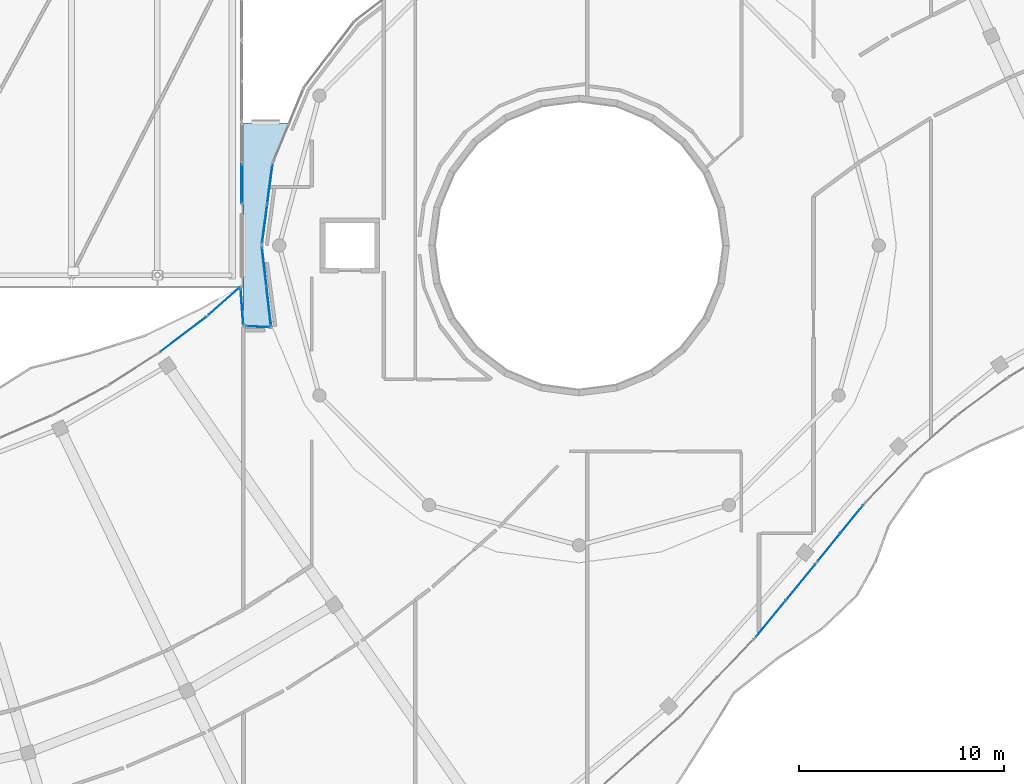
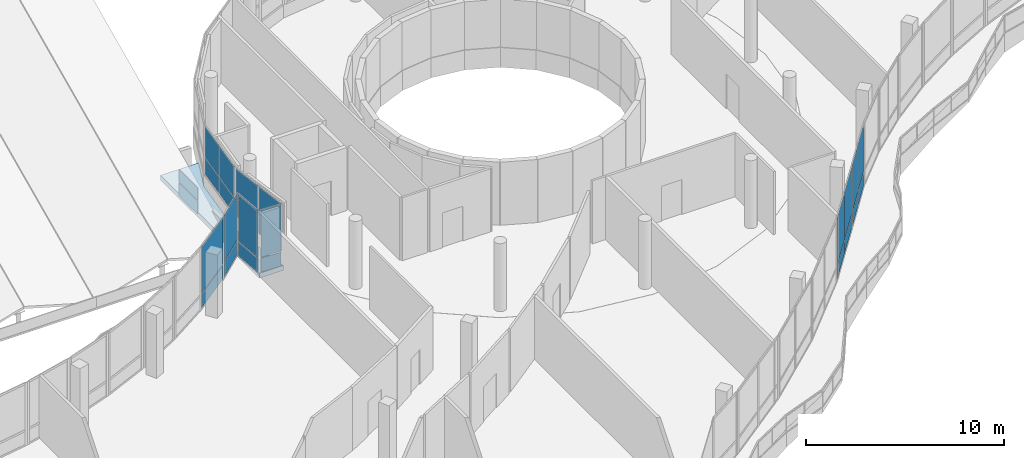
# One storey, part 147 of 184: 26 plates, 1 slab, 9 elements without a shape of their own.
"""IFC4 building model written with IfcOpenShell, lengths in metres."""

import ifcopenshell
import ifcopenshell.guid

model = None  # the IFC model being written
_history = None  # IfcOwnerHistory: only IFC2X3 demands one
_inside = {}  # id of a spatial element -> (the spatial element, [elements in it])
_under = {}  # id of a project, library or spatial element -> (it, [spatial elements below it])
_declared = {}  # id of a project -> (the project, [libraries it declares])
_typed = {}  # id of a type object -> (the type object, [elements of that type])
_made_of = {}  # id of a material, layer set ... -> (it, [elements and type objects made of it])


def new_model(schema):
    """Start an empty IFC model of exactly this schema.

    Asked for "IFC4X3", IfcOpenShell would pick the latest addendum, in which some entities
    have other attributes; the version numbers below select the first issue.
    IFC2X3 requires an IfcOwnerHistory on every rooted entity: one is made here for all.
    """
    global model, _history
    if schema == "IFC4X3":
        model = ifcopenshell.file(schema_version=(4, 3, 0, 0))
    else:
        model = ifcopenshell.file(schema=schema)
    _inside.clear()
    _under.clear()
    _declared.clear()
    _typed.clear()
    _made_of.clear()
    _history = None
    if model.schema == "IFC2X3":
        org = make("IfcOrganization", Name="unknown")
        user = make(
            "IfcPersonAndOrganization",
            ThePerson=make("IfcPerson", FamilyName="unknown"),
            TheOrganization=org,
        )
        app = make(
            "IfcApplication",
            ApplicationDeveloper=org,
            Version="unknown",
            ApplicationFullName="unknown",
            ApplicationIdentifier="unknown",
        )
        _history = make(
            "IfcOwnerHistory",
            OwningUser=user,
            OwningApplication=app,
            ChangeAction="ADDED",
            CreationDate=0,
        )
    return model


def make(cls, **values):
    """One entity of the class cls with the attributes given. An attribute that is None is left unset."""
    return model.create_entity(
        cls, **{name: value for name, value in values.items() if value is not None}
    )


def rooted(cls, **values):
    """An entity with a GlobalId (a new one), such as an element, a storey or a relation."""
    return make(cls, GlobalId=ifcopenshell.guid.new(), OwnerHistory=_history, **values)


def si_unit(unit_type, name, prefix=None):
    """IfcSIUnit, for example si_unit("LENGTHUNIT", "METRE", prefix="MILLI")."""
    return make("IfcSIUnit", UnitType=unit_type, Prefix=prefix, Name=name)


def assignment(units):
    """IfcUnitAssignment: the units of a project."""
    return None if units is None else make("IfcUnitAssignment", Units=units)


def point(xyz):
    """IfcCartesianPoint."""
    return None if xyz is None else make("IfcCartesianPoint", Coordinates=xyz)


def direction(xyz):
    """IfcDirection."""
    return None if xyz is None else make("IfcDirection", DirectionRatios=xyz)


def frame(location, z_axis=None, x_axis=None):
    """IfcAxis2Placement3D, a coordinate frame: its origin and axes. An axis left out is left unset."""
    return make(
        "IfcAxis2Placement3D",
        Location=point(location),
        Axis=direction(z_axis),
        RefDirection=direction(x_axis),
    )


def frame_2d(location, x_axis=None):
    """IfcAxis2Placement2D, a coordinate frame in the plane: its origin and x axis."""
    return make(
        "IfcAxis2Placement2D", Location=point(location), RefDirection=direction(x_axis)
    )


def origin():
    """The frame at (0, 0, 0) with its axes left unset."""
    return frame((0.0, 0.0, 0.0))


def origin_2d():
    """The frame at (0, 0) in the plane with its x axis left unset."""
    return frame_2d((0.0, 0.0))


def place(relative_to, where):
    """IfcLocalPlacement: puts the frame where relative to a parent placement (None: the world)."""
    return make(
        "IfcLocalPlacement", PlacementRelTo=relative_to, RelativePlacement=where
    )


def context(
    kind, dimensions, precision=None, world=None, true_north=None, identifier=None
):
    """IfcGeometricRepresentationContext, for example the 3D "Model" context."""
    return make(
        "IfcGeometricRepresentationContext",
        ContextIdentifier=identifier,
        ContextType=kind,
        CoordinateSpaceDimension=dimensions,
        Precision=precision,
        WorldCoordinateSystem=world,
        TrueNorth=true_north,
    )


def subcontext(parent, identifier, kind, view, scale=None):
    """IfcGeometricRepresentationSubContext, for example "Body" below "Model"."""
    return make(
        "IfcGeometricRepresentationSubContext",
        ContextIdentifier=identifier,
        ContextType=kind,
        ParentContext=parent,
        TargetScale=scale,
        TargetView=view,
    )


def project(units=None, contexts=None):
    """IfcProject with its units and contexts."""
    return rooted(
        "IfcProject",
        Name="project",
        RepresentationContexts=contexts,
        UnitsInContext=assignment(units),
    )


def spatial(cls, under=None, at=None, **own):
    """A site, building, storey or space (cls), placed at a placement, below another one or the project."""
    s = rooted(cls, ObjectPlacement=at, **own)
    if under is not None:
        _under.setdefault(under.id(), (under, []))[1].append(s)
    return s


def polyline(points):
    """IfcPolyline through the points."""
    return make("IfcPolyline", Points=[point(p) for p in points])


def profile(cls, at=None, kind="AREA", **sizes):
    """A parametric profile (cls). Its sizes go by their IFC names, for example OverallWidth=200.0."""
    return make(cls, ProfileType=kind, Position=at, **sizes)


def rectangle(**sizes):
    """IfcRectangleProfileDef."""
    return profile("IfcRectangleProfileDef", **sizes)


def outline(outer, holes=None, kind="AREA"):
    """IfcArbitraryClosedProfileDef: a profile drawn as a closed curve; with holes, ...WithVoids."""
    if holes is None:
        return make("IfcArbitraryClosedProfileDef", ProfileType=kind, OuterCurve=outer)
    return make(
        "IfcArbitraryProfileDefWithVoids",
        ProfileType=kind,
        OuterCurve=outer,
        InnerCurves=holes,
    )


def extrude(swept, where, along, depth):
    """IfcExtrudedAreaSolid: the profile swept, set in the frame where, extruded along a direction by depth."""
    return make(
        "IfcExtrudedAreaSolid",
        SweptArea=swept,
        Position=where,
        ExtrudedDirection=direction(along),
        Depth=depth,
    )


def shape(context_of_items, identifier, shape_type, items):
    """IfcShapeRepresentation: the items that make up one representation, for example the "Body"."""
    return make(
        "IfcShapeRepresentation",
        ContextOfItems=context_of_items,
        RepresentationIdentifier=identifier,
        RepresentationType=shape_type,
        Items=items,
    )


def material(Name=None, Category=None):
    """IfcMaterial."""
    return make("IfcMaterial", Name=Name, Category=Category)


def layer(
    of_material, thickness, ventilated=None, Name=None, Category=None, Priority=None
):
    """IfcMaterialLayer: one layer of a wall or slab, of a material (None: an air gap)."""
    return make(
        "IfcMaterialLayer",
        Material=of_material,
        LayerThickness=thickness,
        IsVentilated=ventilated,
        Name=Name,
        Category=Category,
        Priority=Priority,
    )


def layer_set(layers, Name=None):
    """IfcMaterialLayerSet."""
    return make("IfcMaterialLayerSet", MaterialLayers=layers, LayerSetName=Name)


def made_of(thing, what):
    """Note that an element or type object is made of a material, layer set ...; save() writes the relation."""
    if what is not None:
        _made_of.setdefault(what.id(), (what, []))[1].append(thing)
    return thing


def type_object(cls, material=None, **own):
    """A type object (cls), such as IfcWallType, which elements share."""
    return made_of(rooted(cls, **own), material)


def element(
    cls,
    number,
    at=None,
    inside=None,
    cuts=None,
    type_object=None,
    material=None,
    context=None,
    identifier="Body",
    shape_type=None,
    held_by="IfcProductDefinitionShape",
    body=None,
    shapes=None,
    **own,
):
    """One element of the class cls, such as IfcWall. Its Tag is "e" and its number.

    at: its placement. inside: the storey or other place that contains it. cuts: it is an
    opening in that element (IfcRelVoidsElement). A single representation is given by context,
    identifier, shape_type and body (its items); several are given by shapes. held_by: the class
    of the entity that holds the representations. save() writes the other relations.
    """
    e = rooted(cls, Tag="e%d" % number, ObjectPlacement=at, **own)
    if body is not None:
        shapes = [shape(context, identifier, shape_type, body)]
    if shapes is not None:
        e.Representation = make(held_by, Representations=shapes)
    if inside is not None:
        _inside.setdefault(inside.id(), (inside, []))[1].append(e)
    if cuts is not None:
        rooted(
            "IfcRelVoidsElement", RelatingBuildingElement=cuts, RelatedOpeningElement=e
        )
    if type_object is not None:
        _typed.setdefault(type_object.id(), (type_object, []))[1].append(e)
    return made_of(e, material)


def aggregate(whole, parts):
    """IfcRelAggregates: a whole, such as a stair, and the parts it consists of."""
    return rooted("IfcRelAggregates", RelatingObject=whole, RelatedObjects=parts)


def save(model, path):
    """Write the relations noted so far, then the file.

    IfcRelAggregates (storeys below a building ...), IfcRelContainedInSpatialStructure (elements
    in a storey), IfcRelDefinesByType, IfcRelAssociatesMaterial and IfcRelDeclares: one each for
    every whole, place, type object, material and project.
    """
    for whole, parts in _under.values():
        aggregate(whole, parts)
    for where, things in _inside.values():
        rooted(
            "IfcRelContainedInSpatialStructure",
            RelatedElements=things,
            RelatingStructure=where,
        )
    for kind, things in _typed.values():
        rooted("IfcRelDefinesByType", RelatedObjects=things, RelatingType=kind)
    for what, things in _made_of.values():
        rooted("IfcRelAssociatesMaterial", RelatedObjects=things, RelatingMaterial=what)
    for by, libraries in _declared.values():
        rooted("IfcRelDeclares", RelatingContext=by, RelatedDefinitions=libraries)
    model.write(path)


model = new_model("IFC4")

# Units and contexts
model_context = context("Model", 3, precision=1e-05, world=origin(), true_north=direction((0.0, 1.0)))
body_context = subcontext(model_context, "Body", "Model", "MODEL_VIEW")
ifc_project = project(units=[si_unit("LENGTHUNIT", "METRE"), si_unit("AREAUNIT", "SQUARE_METRE"), si_unit("VOLUMEUNIT", "CUBIC_METRE"), si_unit("PLANEANGLEUNIT", "RADIAN"), si_unit("MASSUNIT", "GRAM", prefix="KILO")], contexts=[model_context])

# Site, building, storey
site_placement = place(None, origin())
site = spatial("IfcSite", under=ifc_project, at=site_placement, CompositionType="ELEMENT")
building_placement = place(site_placement, origin())
building = spatial("IfcBuilding", under=site, at=building_placement, Name="Selatvlak General Hospital", CompositionType="ELEMENT")
storey_placement = place(building_placement, frame((0.0, 0.0, 15.0)))
storey = spatial("IfcBuildingStorey", under=building, at=storey_placement, Name="L03", CompositionType="ELEMENT", Elevation=15.0)

# Curtain wall, plates
ifc_material_1 = material(Name="Solar-control Low-E double glazing", Category="glass")
curtain_wall_type_1 = type_object("IfcCurtainWallType", Name="CW-CW-01", PredefinedType="USERDEFINED", material=ifc_material_1)
curtain_wall_1_placement = place(storey_placement, origin())
curtain_wall_1 = element("IfcCurtainWall", 1, at=curtain_wall_1_placement, inside=storey, type_object=curtain_wall_type_1, Name="Glazed facade curtain wall CW-L03-0415", ObjectType="UNITISED CURTAIN WALL", PredefinedType="USERDEFINED")
ifc_layer_1 = layer(ifc_material_1, 0.028076171875, Name="Solar-control Low-E double glazing", Category="glass")
ifc_layer_set_1 = layer_set([ifc_layer_1], Name="Solar-control Low-E double glazing")
plate_type = type_object("IfcPlateType", Name="CWP-01", PredefinedType="CURTAIN_PANEL", material=ifc_layer_set_1)
plate_1_placement = place(storey_placement, frame((111.345458984375, 40.64013671875, 0.06494140625), z_axis=(0.0, 0.0, 1.0), x_axis=(-0.630334315986, -0.776323804924, 0.0)))
plate_1 = element("IfcPlate", 2, at=plate_1_placement, type_object=plate_type, Name="CW-01 panel 1.1", PredefinedType="CURTAIN_PANEL", context=body_context, shape_type="SweptSolid", body=[
    extrude(rectangle(XDim=1.724609375, YDim=0.028076171875, at=origin_2d()), origin(), (0.0, 0.0, 1.0), 0.8525390625),
])
plate_2_placement = place(storey_placement, frame((111.345458984375, 40.64013671875, 0.982421875), z_axis=(0.0, 0.0, 1.0), x_axis=(-0.630334315986, -0.776323804924, 0.0)))
plate_2 = element("IfcPlate", 3, at=plate_2_placement, type_object=plate_type, Name="CW-01 panel 1.2", PredefinedType="CURTAIN_PANEL", context=body_context, shape_type="SweptSolid", body=[
    extrude(rectangle(XDim=1.724609375, YDim=0.028076171875, at=origin_2d()), origin(), (0.0, 0.0, 1.0), 2.847412109375),
])
plate_3_placement = place(storey_placement, frame((110.217529296875, 39.2509765625, 0.06494140625), z_axis=(0.0, 0.0, 1.0), x_axis=(-0.630334315986, -0.776323804924, 0.0)))
plate_3 = element("IfcPlate", 4, at=plate_3_placement, type_object=plate_type, Name="CW-01 panel 2.1", PredefinedType="CURTAIN_PANEL", context=body_context, shape_type="SweptSolid", body=[
    extrude(rectangle(XDim=1.724609375, YDim=0.028076171875, at=origin_2d()), origin(), (0.0, 0.0, 1.0), 0.8525390625),
])
plate_4_placement = place(storey_placement, frame((110.217529296875, 39.2509765625, 0.982421875), z_axis=(0.0, 0.0, 1.0), x_axis=(-0.630334315986, -0.776323804924, 0.0)))
plate_4 = element("IfcPlate", 5, at=plate_4_placement, type_object=plate_type, Name="CW-01 panel 2.2", PredefinedType="CURTAIN_PANEL", context=body_context, shape_type="SweptSolid", body=[
    extrude(rectangle(XDim=1.724609375, YDim=0.028076171875, at=origin_2d()), origin(), (0.0, 0.0, 1.0), 2.847412109375),
])
aggregate(curtain_wall_1, [plate_1, plate_2, plate_3, plate_4])

curtain_wall_type_2 = type_object("IfcCurtainWallType", Name="CW-CW-02", PredefinedType="USERDEFINED", material=ifc_material_1)
curtain_wall_2_placement = place(storey_placement, origin())
curtain_wall_2 = element("IfcCurtainWall", 6, at=curtain_wall_2_placement, inside=storey, type_object=curtain_wall_type_2, Name="Glazed facade curtain wall CW-L03-0416", ObjectType="UNITISED CURTAIN WALL", PredefinedType="USERDEFINED")
plate_5_placement = place(storey_placement, frame((108.83251953125, 37.55126953125, 0.06494140625), z_axis=(0.0, 0.0, 1.0), x_axis=(-0.633447461018, -0.773785702976, 0.0)))
plate_5 = element("IfcPlate", 7, at=plate_5_placement, type_object=plate_type, Name="CW-02 panel 1.1", PredefinedType="CURTAIN_PANEL", context=body_context, shape_type="SweptSolid", body=[
    extrude(rectangle(XDim=2.23974609375, YDim=0.028076171875, at=origin_2d()), origin(), (0.0, 0.0, 1.0), 0.8525390625),
])
plate_6_placement = place(storey_placement, frame((108.83251953125, 37.55126953125, 0.982421875), z_axis=(0.0, 0.0, 1.0), x_axis=(-0.633447461018, -0.773785702976, 0.0)))
plate_6 = element("IfcPlate", 8, at=plate_6_placement, type_object=plate_type, Name="CW-02 panel 1.2", PredefinedType="CURTAIN_PANEL", context=body_context, shape_type="SweptSolid", body=[
    extrude(rectangle(XDim=2.23974609375, YDim=0.028076171875, at=origin_2d()), origin(), (0.0, 0.0, 1.0), 2.847412109375),
])
plate_7_placement = place(storey_placement, frame((107.37255859375, 35.767822265625, 0.06494140625), z_axis=(0.0, 0.0, 1.0), x_axis=(-0.633447461018, -0.773785702976, 0.0)))
plate_7 = element("IfcPlate", 9, at=plate_7_placement, type_object=plate_type, Name="CW-02 panel 2.1", PredefinedType="CURTAIN_PANEL", context=body_context, shape_type="SweptSolid", body=[
    extrude(rectangle(XDim=2.23974609375, YDim=0.028076171875, at=origin_2d()), origin(), (0.0, 0.0, 1.0), 0.8525390625),
])
plate_8_placement = place(storey_placement, frame((107.37255859375, 35.767822265625, 0.982421875), z_axis=(0.0, 0.0, 1.0), x_axis=(-0.633447461018, -0.773785702976, 0.0)))
plate_8 = element("IfcPlate", 10, at=plate_8_placement, type_object=plate_type, Name="CW-02 panel 2.2", PredefinedType="CURTAIN_PANEL", context=body_context, shape_type="SweptSolid", body=[
    extrude(rectangle(XDim=2.23974609375, YDim=0.028076171875, at=origin_2d()), origin(), (0.0, 0.0, 1.0), 2.847412109375),
])
aggregate(curtain_wall_2, [plate_5, plate_6, plate_7, plate_8])

curtain_wall_3_placement = place(storey_placement, origin())
curtain_wall_3 = element("IfcCurtainWall", 11, at=curtain_wall_3_placement, inside=storey, type_object=curtain_wall_type_2, Name="Glazed facade curtain wall CW-L03-0458", ObjectType="UNITISED CURTAIN WALL", PredefinedType="USERDEFINED")
plate_9_placement = place(storey_placement, frame((78.6630859375, 49.660400390625, 0.06494140625), z_axis=(0.0, 0.0, 1.0), x_axis=(0.796593922952, 0.604514782215, 0.0)))
plate_9 = element("IfcPlate", 12, at=plate_9_placement, type_object=plate_type, Name="CW-02 panel 1.1", PredefinedType="CURTAIN_PANEL", context=body_context, shape_type="SweptSolid", body=[
    extrude(rectangle(XDim=2.769775390625, YDim=0.028076171875, at=origin_2d()), origin(), (0.0, 0.0, 1.0), 0.8525390625),
])
plate_10_placement = place(storey_placement, frame((78.6630859375, 49.660400390625, 0.982421875), z_axis=(0.0, 0.0, 1.0), x_axis=(0.796593922952, 0.604514782215, 0.0)))
plate_10 = element("IfcPlate", 13, at=plate_10_placement, type_object=plate_type, Name="CW-02 panel 1.2", PredefinedType="CURTAIN_PANEL", context=body_context, shape_type="SweptSolid", body=[
    extrude(rectangle(XDim=2.769775390625, YDim=0.028076171875, at=origin_2d()), origin(), (0.0, 0.0, 1.0), 2.847412109375),
])
aggregate(curtain_wall_3, [plate_9, plate_10])

curtain_wall_4_placement = place(storey_placement, origin())
curtain_wall_4 = element("IfcCurtainWall", 14, at=curtain_wall_4_placement, inside=storey, type_object=curtain_wall_type_1, Name="Glazed facade curtain wall CW-L03-0459", ObjectType="UNITISED CURTAIN WALL", PredefinedType="USERDEFINED")
plate_11_placement = place(storey_placement, frame((80.6630859375, 51.2890625, 0.06494140625), z_axis=(0.0, 0.0, 1.0), x_axis=(0.746359254493, 0.665543284267, 0.0)))
plate_11 = element("IfcPlate", 15, at=plate_11_placement, type_object=plate_type, Name="CW-01 panel 1.1", PredefinedType="CURTAIN_PANEL", context=body_context, shape_type="SweptSolid", body=[
    extrude(rectangle(XDim=1.9736328125, YDim=0.028076171875, at=origin_2d()), origin(), (0.0, 0.0, 1.0), 0.8525390625),
])
plate_12_placement = place(storey_placement, frame((80.6630859375, 51.2890625, 0.982421875), z_axis=(0.0, 0.0, 1.0), x_axis=(0.746359254493, 0.665543284267, 0.0)))
plate_12 = element("IfcPlate", 16, at=plate_12_placement, type_object=plate_type, Name="CW-01 panel 1.2", PredefinedType="CURTAIN_PANEL", context=body_context, shape_type="SweptSolid", body=[
    extrude(rectangle(XDim=1.9736328125, YDim=0.028076171875, at=origin_2d()), origin(), (0.0, 0.0, 1.0), 2.847412109375),
])
aggregate(curtain_wall_4, [plate_11, plate_12])

curtain_wall_5_placement = place(storey_placement, origin())
curtain_wall_5 = element("IfcCurtainWall", 17, at=curtain_wall_5_placement, inside=storey, type_object=curtain_wall_type_2, Name="Glazed facade curtain wall CW-L03-0460", ObjectType="UNITISED CURTAIN WALL", PredefinedType="USERDEFINED")
plate_13_placement = place(storey_placement, frame((81.531494140625, 51.00439453125, 0.06494140625), z_axis=(0.0, 0.0, 1.0), x_axis=(0.072428957772, -0.997373573981, 0.0)))
plate_13 = element("IfcPlate", 18, at=plate_13_placement, type_object=plate_type, Name="CW-02 panel 1.1", PredefinedType="CURTAIN_PANEL", context=body_context, shape_type="SweptSolid", body=[
    extrude(rectangle(XDim=1.73388671875, YDim=0.028076171875, at=origin_2d()), origin(), (0.0, 0.0, 1.0), 0.8525390625),
])
plate_14_placement = place(storey_placement, frame((81.531494140625, 51.00439453125, 0.982421875), z_axis=(0.0, 0.0, 1.0), x_axis=(0.072428957772, -0.997373573981, 0.0)))
plate_14 = element("IfcPlate", 19, at=plate_14_placement, type_object=plate_type, Name="CW-02 panel 1.2", PredefinedType="CURTAIN_PANEL", context=body_context, shape_type="SweptSolid", body=[
    extrude(rectangle(XDim=1.73388671875, YDim=0.028076171875, at=origin_2d()), origin(), (0.0, 0.0, 1.0), 2.847412109375),
])
aggregate(curtain_wall_5, [plate_13, plate_14])

curtain_wall_6_placement = place(storey_placement, origin())
curtain_wall_6 = element("IfcCurtainWall", 20, at=curtain_wall_6_placement, inside=storey, type_object=curtain_wall_type_1, Name="Glazed facade curtain wall CW-L03-0461", ObjectType="UNITISED CURTAIN WALL", PredefinedType="USERDEFINED")
plate_15_placement = place(storey_placement, frame((82.303955078125, 50.029052734375, 0.06494140625), z_axis=(0.0, 0.0, 1.0), x_axis=(0.999041351279, -0.043776459829, 0.0)))
plate_15 = element("IfcPlate", 21, at=plate_15_placement, type_object=plate_type, Name="CW-01 panel 1.1", PredefinedType="CURTAIN_PANEL", context=body_context, shape_type="SweptSolid", body=[
    extrude(rectangle(XDim=1.149169921875, YDim=0.028076171875, at=origin_2d()), origin(), (0.0, 0.0, 1.0), 0.8525390625),
])
plate_16_placement = place(storey_placement, frame((82.303955078125, 50.029052734375, 0.982421875), z_axis=(0.0, 0.0, 1.0), x_axis=(0.999041351279, -0.043776459829, 0.0)))
plate_16 = element("IfcPlate", 22, at=plate_16_placement, type_object=plate_type, Name="CW-01 panel 1.2", PredefinedType="CURTAIN_PANEL", context=body_context, shape_type="SweptSolid", body=[
    extrude(rectangle(XDim=1.149169921875, YDim=0.028076171875, at=origin_2d()), origin(), (0.0, 0.0, 1.0), 2.847412109375),
])
aggregate(curtain_wall_6, [plate_15, plate_16])

curtain_wall_type_3 = type_object("IfcCurtainWallType", Name="CW-CW-05", PredefinedType="USERDEFINED", material=ifc_material_1)
curtain_wall_7_placement = place(storey_placement, origin())
curtain_wall_7 = element("IfcCurtainWall", 23, at=curtain_wall_7_placement, inside=storey, type_object=curtain_wall_type_3, Name="Glazed facade curtain wall CW-L03-0462", ObjectType="STICK GLAZING WALL", PredefinedType="USERDEFINED")
plate_17_placement = place(storey_placement, frame((82.840576171875, 51.0234375, 0.9150390625), z_axis=(0.0, 0.0, 1.0), x_axis=(-0.113645427787, 0.993521372062, 0.0)))
plate_17 = element("IfcPlate", 24, at=plate_17_placement, type_object=plate_type, Name="CW-05 panel 1.1", PredefinedType="CURTAIN_PANEL", context=body_context, shape_type="SweptSolid", body=[
    extrude(rectangle(XDim=1.89990234375, YDim=0.028076171875, at=origin_2d()), origin(), (0.0, 0.0, 1.0), 0.99951171875),
])
plate_18_placement = place(storey_placement, frame((82.840576171875, 51.0234375, 1.9794921875), z_axis=(0.0, 0.0, 1.0), x_axis=(-0.113645427787, 0.993521372062, 0.0)))
plate_18 = element("IfcPlate", 25, at=plate_18_placement, type_object=plate_type, Name="CW-05 panel 1.2", PredefinedType="CURTAIN_PANEL", context=body_context, shape_type="SweptSolid", body=[
    extrude(rectangle(XDim=1.89990234375, YDim=0.028076171875, at=origin_2d()), origin(), (0.0, 0.0, 1.0), 1.8505859375),
])
plate_19_placement = place(storey_placement, frame((82.617431640625, 52.9755859375, 0.9150390625), z_axis=(0.0, 0.0, 1.0), x_axis=(-0.113645427787, 0.993521372062, 0.0)))
plate_19 = element("IfcPlate", 26, at=plate_19_placement, type_object=plate_type, Name="CW-05 panel 2.1", PredefinedType="CURTAIN_PANEL", context=body_context, shape_type="SweptSolid", body=[
    extrude(rectangle(XDim=1.89990234375, YDim=0.028076171875, at=origin_2d()), origin(), (0.0, 0.0, 1.0), 0.99951171875),
])
plate_20_placement = place(storey_placement, frame((82.617431640625, 52.9755859375, 1.9794921875), z_axis=(0.0, 0.0, 1.0), x_axis=(-0.113645427787, 0.993521372062, 0.0)))
plate_20 = element("IfcPlate", 27, at=plate_20_placement, type_object=plate_type, Name="CW-05 panel 2.2", PredefinedType="CURTAIN_PANEL", context=body_context, shape_type="SweptSolid", body=[
    extrude(rectangle(XDim=1.89990234375, YDim=0.028076171875, at=origin_2d()), origin(), (0.0, 0.0, 1.0), 1.8505859375),
])
aggregate(curtain_wall_7, [plate_17, plate_18, plate_19, plate_20])

curtain_wall_type_4 = type_object("IfcCurtainWallType", Name="CW-CW-04", PredefinedType="USERDEFINED", material=ifc_material_1)
curtain_wall_8_placement = place(storey_placement, origin())
curtain_wall_8 = element("IfcCurtainWall", 28, at=curtain_wall_8_placement, inside=storey, type_object=curtain_wall_type_4, Name="Glazed facade curtain wall CW-L03-0463", ObjectType="STICK GLAZING WALL", PredefinedType="USERDEFINED")
plate_21_placement = place(storey_placement, frame((82.640380859375, 55.063232421875, 0.9150390625), z_axis=(0.0, 0.0, 1.0), x_axis=(0.130363194467, 0.991466306804, 0.0)))
plate_21 = element("IfcPlate", 29, at=plate_21_placement, type_object=plate_type, Name="CW-04 panel 1.1", PredefinedType="CURTAIN_PANEL", context=body_context, shape_type="SweptSolid", body=[
    extrude(rectangle(XDim=1.885498046875, YDim=0.028076171875, at=origin_2d()), origin(), (0.0, 0.0, 1.0), 0.99951171875),
])
plate_22_placement = place(storey_placement, frame((82.640380859375, 55.063232421875, 1.9794921875), z_axis=(0.0, 0.0, 1.0), x_axis=(0.130363194467, 0.991466306804, 0.0)))
plate_22 = element("IfcPlate", 30, at=plate_22_placement, type_object=plate_type, Name="CW-04 panel 1.2", PredefinedType="CURTAIN_PANEL", context=body_context, shape_type="SweptSolid", body=[
    extrude(rectangle(XDim=1.885498046875, YDim=0.028076171875, at=origin_2d()), origin(), (0.0, 0.0, 1.0), 1.8505859375),
])
plate_23_placement = place(storey_placement, frame((82.89453125, 56.996826171875, 0.9150390625), z_axis=(0.0, 0.0, 1.0), x_axis=(0.130363194467, 0.991466306804, 0.0)))
plate_23 = element("IfcPlate", 31, at=plate_23_placement, type_object=plate_type, Name="CW-04 panel 2.1", PredefinedType="CURTAIN_PANEL", context=body_context, shape_type="SweptSolid", body=[
    extrude(rectangle(XDim=1.885498046875, YDim=0.028076171875, at=origin_2d()), origin(), (0.0, 0.0, 1.0), 0.99951171875),
])
plate_24_placement = place(storey_placement, frame((82.89453125, 56.996826171875, 1.9794921875), z_axis=(0.0, 0.0, 1.0), x_axis=(0.130363194467, 0.991466306804, 0.0)))
plate_24 = element("IfcPlate", 32, at=plate_24_placement, type_object=plate_type, Name="CW-04 panel 2.2", PredefinedType="CURTAIN_PANEL", context=body_context, shape_type="SweptSolid", body=[
    extrude(rectangle(XDim=1.885498046875, YDim=0.028076171875, at=origin_2d()), origin(), (0.0, 0.0, 1.0), 1.8505859375),
])
aggregate(curtain_wall_8, [plate_21, plate_22, plate_23, plate_24])

curtain_wall_9_placement = place(storey_placement, origin())
curtain_wall_9 = element("IfcCurtainWall", 33, at=curtain_wall_9_placement, inside=storey, type_object=curtain_wall_type_3, Name="Glazed facade curtain wall CW-L03-0730", ObjectType="STICK GLAZING WALL", PredefinedType="USERDEFINED")
plate_25_placement = place(storey_placement, frame((81.52001953125, 57.023681640625, 0.06494140625), z_axis=(0.0, 0.0, 1.0), x_axis=(0.0, 1.0, 0.0)))
plate_25 = element("IfcPlate", 34, at=plate_25_placement, type_object=plate_type, Name="CW-05 panel 1.1", PredefinedType="CURTAIN_PANEL", context=body_context, shape_type="SweptSolid", body=[
    extrude(rectangle(XDim=1.887451171875, YDim=0.028076171875, at=origin_2d()), origin(), (0.0, 0.0, 1.0), 0.777587890625),
])
plate_26_placement = place(storey_placement, frame((81.52001953125, 57.023681640625, 0.9072265625), z_axis=(0.0, 0.0, 1.0), x_axis=(0.0, 1.0, 0.0)))
plate_26 = element("IfcPlate", 35, at=plate_26_placement, type_object=plate_type, Name="CW-05 panel 1.2", PredefinedType="CURTAIN_PANEL", context=body_context, shape_type="SweptSolid", body=[
    extrude(rectangle(XDim=1.887451171875, YDim=0.028076171875, at=origin_2d()), origin(), (0.0, 0.0, 1.0), 0.777587890625),
])
aggregate(curtain_wall_9, [plate_25, plate_26])

# Slab
ifc_material_2 = material(Name="Concrete C40/50", Category="concrete")
ifc_layer_2 = layer(ifc_material_2, 0.31005859375, Name="Concrete C40/50", Category="concrete")
ifc_layer_set_2 = layer_set([ifc_layer_2], Name="Concrete C40/50")
slab_type = type_object("IfcSlabType", Name="SLAB-SL-RF2", PredefinedType="ROOF", material=ifc_layer_set_2)
slab_placement = place(storey_placement, frame((0.0, 0.0, -0.260009765625)))
element("IfcSlab", 36, at=slab_placement, inside=storey, type_object=slab_type, Name="L03 roof slab ROOF-V2-LINK-2", PredefinedType="ROOF", context=body_context, shape_type="SweptSolid", body=[
    extrude(outline(polyline([(83.02001953125, 58.012939453125), (82.491943359375, 54.0009765625), (83.01708984375, 50.008056640625), (81.60791015625, 50.008056640625), (81.60498046875, 60.0), (83.843017578125, 60.0), (83.02001953125, 58.012939453125)])), origin(), (0.0, 0.0, 1.0), 0.31005859375),
])

save(model, "model.ifc")
